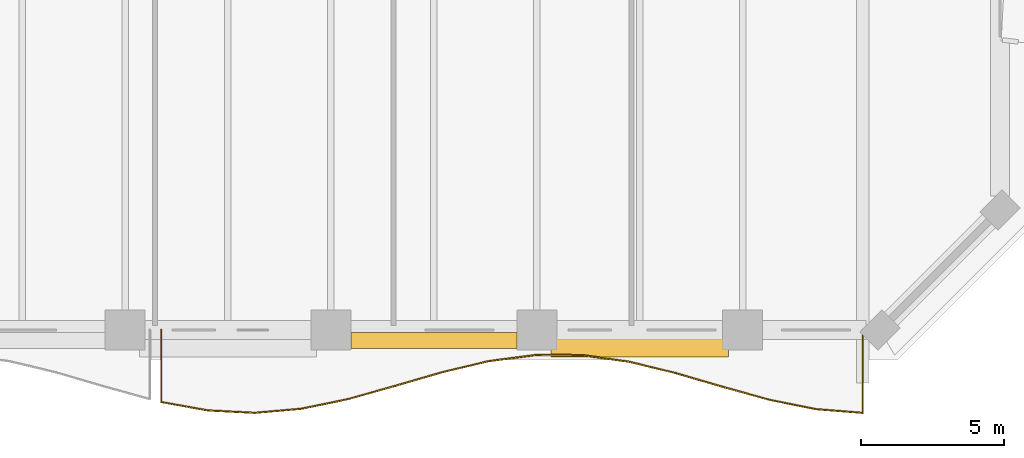
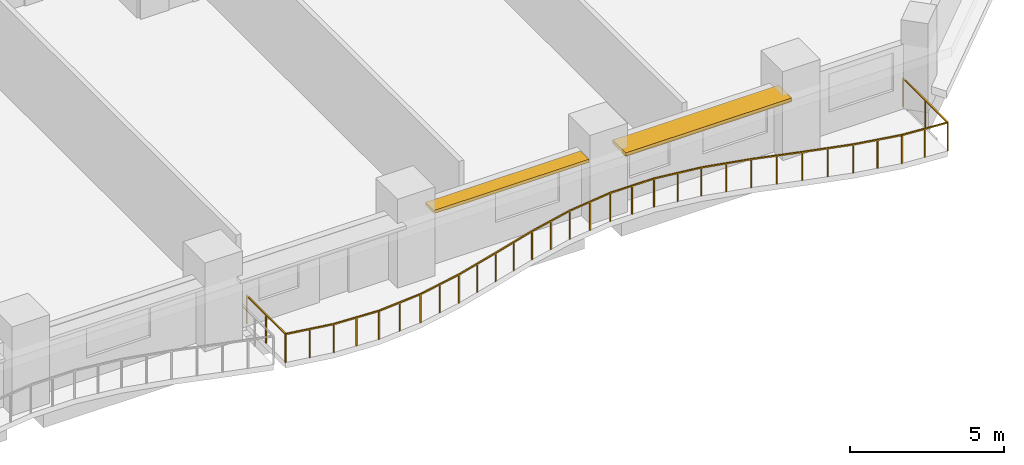
# One storey, part 14 of 15: 2 shading devices, 1 railing.
"""IFC4 building model written with IfcOpenShell, lengths in metres."""

from ifc_helpers import new_model, si_unit, direction, frame, origin, origin_2d, place, context, subcontext, project, spatial, rectangle, extrude, material, layer, layer_set, type_object, element, save


model = new_model("IFC4")

# Units and contexts
model_context = context("Model", 3, precision=1e-05, world=origin(), true_north=direction((0.0, 1.0)))
body_context = subcontext(model_context, "Body", "Model", "MODEL_VIEW")
ifc_project = project(units=[si_unit("LENGTHUNIT", "METRE"), si_unit("AREAUNIT", "SQUARE_METRE"), si_unit("VOLUMEUNIT", "CUBIC_METRE"), si_unit("PLANEANGLEUNIT", "RADIAN"), si_unit("MASSUNIT", "GRAM", prefix="KILO")], contexts=[model_context])

# Site, building, storey
site_placement = place(None, origin())
site = spatial("IfcSite", under=ifc_project, at=site_placement, CompositionType="ELEMENT")
building_placement = place(site_placement, origin())
building = spatial("IfcBuilding", under=site, at=building_placement, Name="Kaelvorn Grand Hotel", CompositionType="ELEMENT")
storey_placement = place(building_placement, frame((0.0, 0.0, 72.64990234375)))
storey = spatial("IfcBuildingStorey", under=building, at=storey_placement, Name="L16", CompositionType="ELEMENT", Elevation=72.64990234375)

# Railing
ifc_material_1 = material(Name="Stainless Steel", Category="steel")
railing_type = type_object("IfcRailingType", Name="RL-BALC-1150", PredefinedType="BALUSTRADE", material=ifc_material_1)
railing_placement = place(storey_placement, frame((54.666748046875, 0.0, 0.0)))
element("IfcRailing", 1, at=railing_placement, inside=storey, type_object=railing_type, Name="L16 Scalloped Wave Balcony Balustrade GR1-3", PredefinedType="BALUSTRADE", context=body_context, shape_type="SweptSolid", body=[
    extrude(rectangle(XDim=0.048095703125, YDim=0.048095703125, at=origin_2d()), frame((0.0, 0.0, 1.1259765625), z_axis=(0.0, -1.0, 0.0), x_axis=(1.0, 0.0, 0.0)), (0.0, 0.0, 1.0), 2.521484375),
    extrude(rectangle(XDim=0.048095703125, YDim=0.048095703125, at=origin_2d()), frame((0.0, -2.521484375, 1.1259765625), z_axis=(0.984383042767, -0.176039839563, 0.0), x_axis=(0.176039839563, 0.984383042767, 0.0)), (0.0, 0.0, 1.0), 1.661376953125),
    extrude(rectangle(XDim=0.048095703125, YDim=0.048095703125, at=origin_2d()), frame((1.635498046875, -2.81396484375, 1.1259765625), z_axis=(0.998684141863, -0.05128337734, 0.0), x_axis=(0.05128337734, 0.998684141863, 0.0)), (0.0, 0.0, 1.0), 1.6376953125),
    extrude(rectangle(XDim=0.048095703125, YDim=0.048095703125, at=origin_2d()), frame((3.27099609375, -2.89794921875, 1.1259765625), z_axis=(0.996182895251, 0.087290544785, 0.0), x_axis=(-0.087290544785, 0.996182895251, 0.0)), (0.0, 0.0, 1.0), 1.641845703125),
    extrude(rectangle(XDim=0.048095703125, YDim=0.048095703125, at=origin_2d()), frame((4.906494140625, -2.754638671875, 1.1259765625), z_axis=(0.97923741506, 0.202716760401, 0.0), x_axis=(-0.202716760401, 0.97923741506, 0.0)), (0.0, 0.0, 1.0), 1.67041015625),
    extrude(rectangle(XDim=0.048095703125, YDim=0.048095703125, at=origin_2d()), frame((6.542236328125, -2.416015625, 1.1259765625), z_axis=(0.962804134231, 0.270200294425, 0.0), x_axis=(-0.270200294425, 0.962804134231, 0.0)), (0.0, 0.0, 1.0), 1.69873046875),
    extrude(rectangle(XDim=0.048095703125, YDim=0.048095703125, at=origin_2d()), frame((8.177734375, -1.95703125, 1.1259765625), z_axis=(0.959995184835, 0.280016508608, 0.0), x_axis=(-0.280016508608, 0.959995184835, 0.0)), (0.0, 0.0, 1.0), 1.70361328125),
    extrude(rectangle(XDim=0.048095703125, YDim=0.048095703125, at=origin_2d()), frame((9.813232421875, -1.47998046875, 1.1259765625), z_axis=(0.972806214685, 0.231620527306, 0.0), x_axis=(-0.231620527306, 0.972806214685, 0.0)), (0.0, 0.0, 1.0), 1.68115234375),
    extrude(rectangle(XDim=0.048095703125, YDim=0.048095703125, at=origin_2d()), frame((11.44873046875, -1.090576171875, 1.1259765625), z_axis=(0.99146537283, 0.130370297532, 0.0), x_axis=(-0.130370297532, 0.99146537283, 0.0)), (0.0, 0.0, 1.0), 1.64990234375),
    extrude(rectangle(XDim=0.048095703125, YDim=0.048095703125, at=origin_2d()), frame((13.08447265625, -0.87548828125, 1.1259765625), z_axis=(0.99999126505, -0.004179691808, 0.0), x_axis=(0.004179691808, 0.99999126505, 0.0)), (0.0, 0.0, 1.0), 1.635498046875),
    extrude(rectangle(XDim=0.048095703125, YDim=0.048095703125, at=origin_2d()), frame((14.719970703125, -0.88232421875, 1.1259765625), z_axis=(0.990480517275, -0.137652987249, 0.0), x_axis=(0.137652987249, 0.990480517275, 0.0)), (0.0, 0.0, 1.0), 1.651123046875),
    extrude(rectangle(XDim=0.048095703125, YDim=0.048095703125, at=origin_2d()), frame((16.35546875, -1.109619140625, 1.1259765625), z_axis=(0.971717100289, -0.2361479981, 0.0), x_axis=(0.2361479981, 0.971717100289, 0.0)), (0.0, 0.0, 1.0), 1.68310546875),
    extrude(rectangle(XDim=0.048095703125, YDim=0.048095703125, at=origin_2d()), frame((17.990966796875, -1.507080078125, 1.1259765625), z_axis=(0.959686524808, -0.28107254242, 0.0), x_axis=(0.28107254242, 0.959686524808, 0.0)), (0.0, 0.0, 1.0), 1.7041015625),
    extrude(rectangle(XDim=0.048095703125, YDim=0.048095703125, at=origin_2d()), frame((19.62646484375, -1.986083984375, 1.1259765625), z_axis=(0.963522030125, -0.267629029562, 0.0), x_axis=(0.267629029562, 0.963522030125, 0.0)), (0.0, 0.0, 1.0), 1.69775390625),
    extrude(rectangle(XDim=0.048095703125, YDim=0.048095703125, at=origin_2d()), frame((21.26220703125, -2.4404296875, 1.1259765625), z_axis=(0.980377518175, -0.197129200923, 0.0), x_axis=(0.197129200923, 0.980377518175, 0.0)), (0.0, 0.0, 1.0), 1.668212890625),
    extrude(rectangle(XDim=0.048095703125, YDim=0.048095703125, at=origin_2d()), frame((22.897705078125, -2.769287109375, 1.1259765625), z_axis=(0.996849725002, -0.079313465208, 0.0), x_axis=(0.079313465208, 0.996849725002, 0.0)), (0.0, 0.0, 1.0), 1.640625),
    extrude(rectangle(XDim=0.048095703125, YDim=0.048095703125, at=origin_2d()), frame((24.533203125, -2.8994140625, 1.1259765625), z_axis=(0.0, 1.0, 0.0), x_axis=(-1.0, 0.0, 0.0)), (0.0, 0.0, 1.0), 2.8994140625),
    extrude(rectangle(XDim=0.0419921875, YDim=0.0419921875, at=origin_2d()), origin(), (0.0, 0.0, 1.0), 1.101806640625),
    extrude(rectangle(XDim=0.0419921875, YDim=0.0419921875, at=origin_2d()), frame((0.0, -1.2607421875, 0.0)), (0.0, 0.0, 1.0), 1.101806640625),
    extrude(rectangle(XDim=0.0419921875, YDim=0.0419921875, at=origin_2d()), frame((0.0, -2.521484375, 0.0)), (0.0, 0.0, 1.0), 1.101806640625),
    extrude(rectangle(XDim=0.0419921875, YDim=0.0419921875, at=origin_2d()), frame((0.81787109375, -2.667724609375, 0.0)), (0.0, 0.0, 1.0), 1.101806640625),
    extrude(rectangle(XDim=0.0419921875, YDim=0.0419921875, at=origin_2d()), frame((1.635498046875, -2.81396484375, 0.0)), (0.0, 0.0, 1.0), 1.101806640625),
    extrude(rectangle(XDim=0.0419921875, YDim=0.0419921875, at=origin_2d()), frame((2.453125, -2.85595703125, 0.0)), (0.0, 0.0, 1.0), 1.101806640625),
    extrude(rectangle(XDim=0.0419921875, YDim=0.0419921875, at=origin_2d()), frame((3.27099609375, -2.89794921875, 0.0)), (0.0, 0.0, 1.0), 1.101806640625),
    extrude(rectangle(XDim=0.0419921875, YDim=0.0419921875, at=origin_2d()), frame((4.0888671875, -2.826171875, 0.0)), (0.0, 0.0, 1.0), 1.101806640625),
    extrude(rectangle(XDim=0.0419921875, YDim=0.0419921875, at=origin_2d()), frame((4.906494140625, -2.754638671875, 0.0)), (0.0, 0.0, 1.0), 1.101806640625),
    extrude(rectangle(XDim=0.0419921875, YDim=0.0419921875, at=origin_2d()), frame((5.724365234375, -2.58544921875, 0.0)), (0.0, 0.0, 1.0), 1.101806640625),
    extrude(rectangle(XDim=0.0419921875, YDim=0.0419921875, at=origin_2d()), frame((6.542236328125, -2.416015625, 0.0)), (0.0, 0.0, 1.0), 1.101806640625),
    extrude(rectangle(XDim=0.0419921875, YDim=0.0419921875, at=origin_2d()), frame((7.35986328125, -2.1865234375, 0.0)), (0.0, 0.0, 1.0), 1.101806640625),
    extrude(rectangle(XDim=0.0419921875, YDim=0.0419921875, at=origin_2d()), frame((8.177734375, -1.95703125, 0.0)), (0.0, 0.0, 1.0), 1.101806640625),
    extrude(rectangle(XDim=0.0419921875, YDim=0.0419921875, at=origin_2d()), frame((8.99560546875, -1.718505859375, 0.0)), (0.0, 0.0, 1.0), 1.101806640625),
    extrude(rectangle(XDim=0.0419921875, YDim=0.0419921875, at=origin_2d()), frame((9.813232421875, -1.47998046875, 0.0)), (0.0, 0.0, 1.0), 1.101806640625),
    extrude(rectangle(XDim=0.0419921875, YDim=0.0419921875, at=origin_2d()), frame((10.630859375, -1.28515625, 0.0)), (0.0, 0.0, 1.0), 1.101806640625),
    extrude(rectangle(XDim=0.0419921875, YDim=0.0419921875, at=origin_2d()), frame((11.44873046875, -1.090576171875, 0.0)), (0.0, 0.0, 1.0), 1.101806640625),
    extrude(rectangle(XDim=0.0419921875, YDim=0.0419921875, at=origin_2d()), frame((12.2666015625, -0.98291015625, 0.0)), (0.0, 0.0, 1.0), 1.101806640625),
    extrude(rectangle(XDim=0.0419921875, YDim=0.0419921875, at=origin_2d()), frame((13.08447265625, -0.87548828125, 0.0)), (0.0, 0.0, 1.0), 1.101806640625),
    extrude(rectangle(XDim=0.0419921875, YDim=0.0419921875, at=origin_2d()), frame((13.90234375, -0.87890625, 0.0)), (0.0, 0.0, 1.0), 1.101806640625),
    extrude(rectangle(XDim=0.0419921875, YDim=0.0419921875, at=origin_2d()), frame((14.719970703125, -0.88232421875, 0.0)), (0.0, 0.0, 1.0), 1.101806640625),
    extrude(rectangle(XDim=0.0419921875, YDim=0.0419921875, at=origin_2d()), frame((15.53759765625, -0.99609375, 0.0)), (0.0, 0.0, 1.0), 1.101806640625),
    extrude(rectangle(XDim=0.0419921875, YDim=0.0419921875, at=origin_2d()), frame((16.35546875, -1.109619140625, 0.0)), (0.0, 0.0, 1.0), 1.101806640625),
    extrude(rectangle(XDim=0.0419921875, YDim=0.0419921875, at=origin_2d()), frame((17.17333984375, -1.308349609375, 0.0)), (0.0, 0.0, 1.0), 1.101806640625),
    extrude(rectangle(XDim=0.0419921875, YDim=0.0419921875, at=origin_2d()), frame((17.990966796875, -1.507080078125, 0.0)), (0.0, 0.0, 1.0), 1.101806640625),
    extrude(rectangle(XDim=0.0419921875, YDim=0.0419921875, at=origin_2d()), frame((18.80859375, -1.74658203125, 0.0)), (0.0, 0.0, 1.0), 1.101806640625),
    extrude(rectangle(XDim=0.0419921875, YDim=0.0419921875, at=origin_2d()), frame((19.62646484375, -1.986083984375, 0.0)), (0.0, 0.0, 1.0), 1.101806640625),
    extrude(rectangle(XDim=0.0419921875, YDim=0.0419921875, at=origin_2d()), frame((20.4443359375, -2.21337890625, 0.0)), (0.0, 0.0, 1.0), 1.101806640625),
    extrude(rectangle(XDim=0.0419921875, YDim=0.0419921875, at=origin_2d()), frame((21.26220703125, -2.4404296875, 0.0)), (0.0, 0.0, 1.0), 1.101806640625),
    extrude(rectangle(XDim=0.0419921875, YDim=0.0419921875, at=origin_2d()), frame((22.080078125, -2.60498046875, 0.0)), (0.0, 0.0, 1.0), 1.101806640625),
    extrude(rectangle(XDim=0.0419921875, YDim=0.0419921875, at=origin_2d()), frame((22.897705078125, -2.769287109375, 0.0)), (0.0, 0.0, 1.0), 1.101806640625),
    extrude(rectangle(XDim=0.0419921875, YDim=0.0419921875, at=origin_2d()), frame((23.71533203125, -2.83447265625, 0.0)), (0.0, 0.0, 1.0), 1.101806640625),
    extrude(rectangle(XDim=0.0419921875, YDim=0.0419921875, at=origin_2d()), frame((24.533203125, -2.8994140625, 0.0)), (0.0, 0.0, 1.0), 1.101806640625),
    extrude(rectangle(XDim=0.0419921875, YDim=0.0419921875, at=origin_2d()), frame((24.533203125, -1.44970703125, 0.0)), (0.0, 0.0, 1.0), 1.101806640625),
    extrude(rectangle(XDim=0.0419921875, YDim=0.0419921875, at=origin_2d()), frame((24.533203125, 0.0, 0.0)), (0.0, 0.0, 1.0), 1.101806640625),
])

# Shading devices
ifc_material_2 = material(Name="Precast concrete C45/55", Category="concrete")
ifc_layer_1 = layer(ifc_material_2, 0.1201171875)
ifc_layer_set_1 = layer_set([ifc_layer_1], Name="Precast concrete C45/55")
shading_device_type_1 = type_object("IfcShadingDeviceType", Name="SHD-SUNSHADE-550", PredefinedType="USERDEFINED", material=ifc_layer_set_1)
shading_device_1_placement = place(storey_placement, frame((64.199951171875, -0.364990234375, 2.419921875), z_axis=(0.0, 0.0, 1.0), x_axis=(1.0, 0.0, 0.0)))
element("IfcShadingDevice", 2, at=shading_device_1_placement, inside=storey, type_object=shading_device_type_1, Name="L16 Horizontal Concrete Sunshade Band SS-09", ObjectType="SUNSHADE", PredefinedType="USERDEFINED", context=body_context, shape_type="SweptSolid", body=[
    extrude(rectangle(XDim=5.800048828125, YDim=0.550048828125, at=origin_2d()), origin(), (0.0, 0.0, 1.0), 0.1201171875),
])
ifc_layer_2 = layer(ifc_material_2, 0.139892578125)
ifc_layer_set_2 = layer_set([ifc_layer_2], Name="Precast concrete C45/55")
shading_device_type_2 = type_object("IfcShadingDeviceType", Name="SHD-SUNSHADE-850", PredefinedType="USERDEFINED", material=ifc_layer_set_2)
shading_device_2_placement = place(storey_placement, frame((71.39990234375, -0.514892578125, 2.41015625), z_axis=(0.0, 0.0, 1.0), x_axis=(1.0, 0.0, 0.0)))
element("IfcShadingDevice", 3, at=shading_device_2_placement, inside=storey, type_object=shading_device_type_2, Name="L16 Horizontal Concrete Sunshade Band SS-10", ObjectType="SUNSHADE", PredefinedType="USERDEFINED", context=body_context, shape_type="SweptSolid", body=[
    extrude(rectangle(XDim=6.199951171875, YDim=0.85009765625, at=origin_2d()), origin(), (0.0, 0.0, 1.0), 0.139892578125),
])

save(model, "model.ifc")
